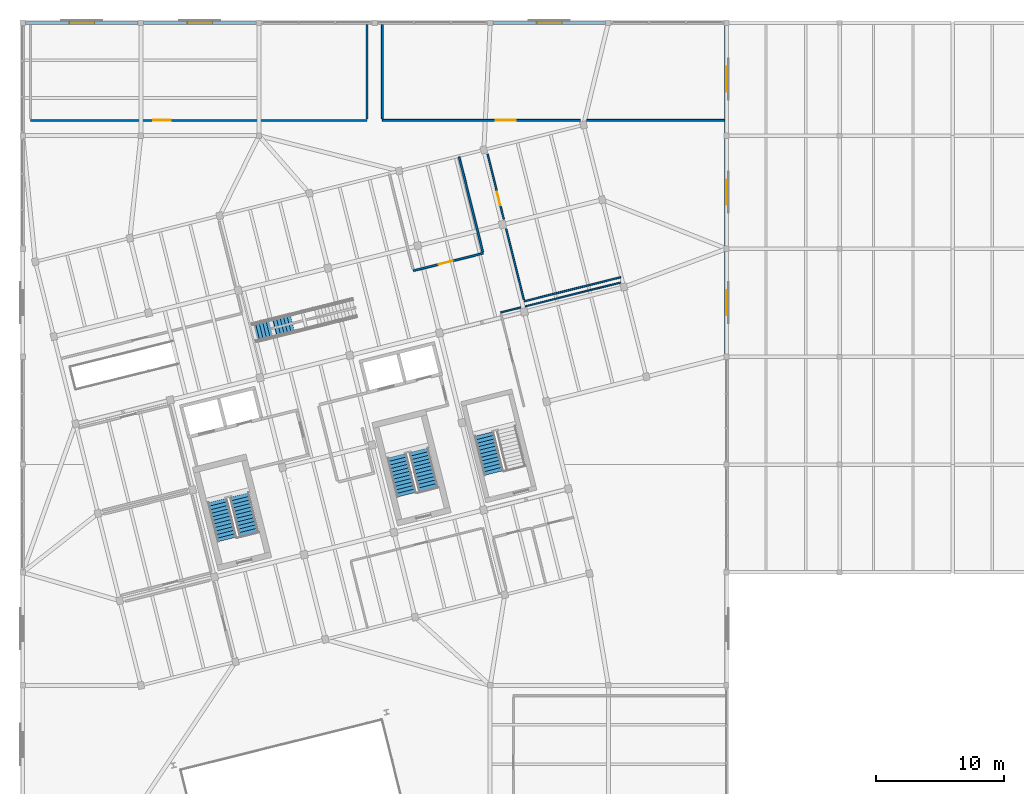
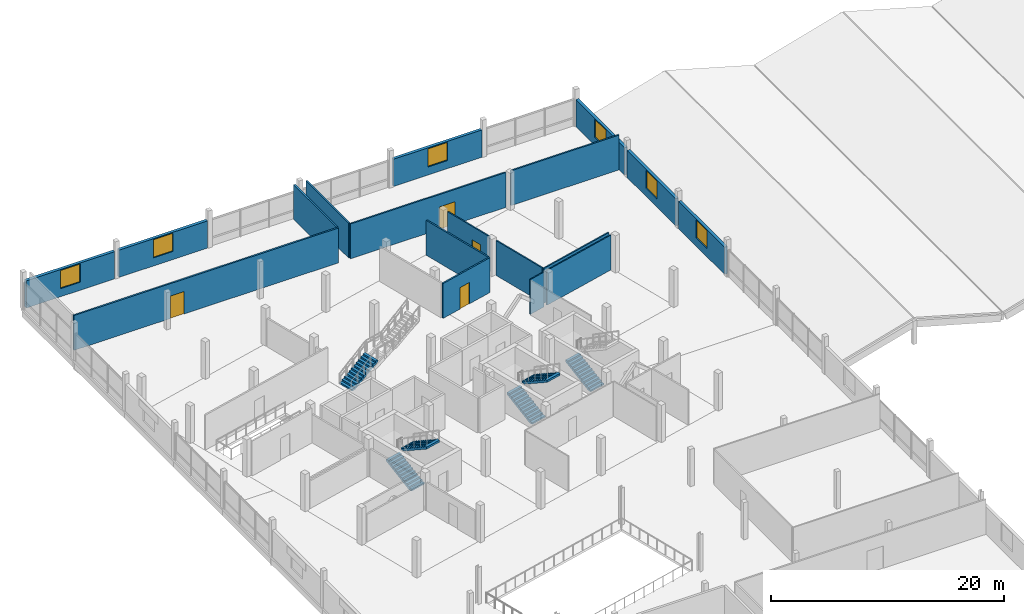
# One storey, part 43 of 47: 18 walls, 6 stair flights, 6 windows, 4 doors, 10 openings, 4 elements without a shape of their own.
"""IFC4 building model written with IfcOpenShell, lengths in metres."""

from ifc_helpers import new_model, si_unit, direction, frame, frame_2d, origin, place, context, subcontext, project, spatial, polyline, rectangle, outline, extrude, material, layer, layer_set, type_object, element, fill, aggregate, save


model = new_model("IFC4")

# Units and contexts
model_context = context("Model", 3, precision=1e-05, world=origin(), true_north=direction((0.0, 1.0)))
body_context = subcontext(model_context, "Body", "Model", "MODEL_VIEW")
ifc_project = project(units=[si_unit("LENGTHUNIT", "METRE"), si_unit("AREAUNIT", "SQUARE_METRE"), si_unit("VOLUMEUNIT", "CUBIC_METRE"), si_unit("PLANEANGLEUNIT", "RADIAN"), si_unit("MASSUNIT", "GRAM", prefix="KILO")], contexts=[model_context])

# Site, building, storey
site_placement = place(None, origin())
site = spatial("IfcSite", under=ifc_project, at=site_placement, CompositionType="ELEMENT")
building_placement = place(site_placement, origin())
building = spatial("IfcBuilding", under=site, at=building_placement, Name="Meriwether Solvik Hall", CompositionType="ELEMENT")
storey_placement = place(building_placement, frame((0.0, 0.0, 18.300048828125)))
storey = spatial("IfcBuildingStorey", under=building, at=storey_placement, Name="L04", CompositionType="ELEMENT", Elevation=18.300048828125)

# Wall, opening, door
ifc_material_1 = material(Name="Double-Layer Acoustic Gypsum Board", Category="gypsum")
ifc_layer_1 = layer(ifc_material_1, 0.1650390625)
ifc_layer_set_1 = layer_set([ifc_layer_1], Name="Double-Layer Acoustic Gypsum Board")
wall_type_1 = type_object("IfcWallType", Name="WALL-DEM-165", PredefinedType="PARTITIONING", material=ifc_layer_set_1)
wall_1_placement = place(storey_placement, frame((60.0, 85.199951171875, 0.0), z_axis=(0.0, 0.0, 1.0), x_axis=(1.0, 0.0, 0.0)))
wall_1 = element("IfcWall", 1, at=wall_1_placement, inside=storey, type_object=wall_type_1, Name="L04 Interior Partition cnt_n4a_s", PredefinedType="PARTITIONING", context=body_context, shape_type="SweptSolid", body=[
    extrude(rectangle(XDim=26.199951171875, YDim=0.1650390625, at=frame_2d((13.10009765625, 0.0))), origin(), (0.0, 0.0, 1.0), 3.655029296875),
])
opening_1_placement = place(wall_1_placement, frame((9.566162109375, 0.0, 0.0)))
opening_1 = element("IfcOpeningElement", 2, at=opening_1_placement, cuts=wall_1, Name="Opening D-190", PredefinedType="OPENING", context=body_context, shape_type="SweptSolid", body=[
    extrude(rectangle(XDim=1.35009765625, YDim=2.35009765625, at=frame_2d((0.675048828125, 1.175048828125))), frame((0.0, 0.094482421875, 0.0), z_axis=(0.0, -1.0, 0.0), x_axis=(1.0, 0.0, 0.0)), (0.0, 0.0, 1.0), 0.18896484375),
])
ifc_material_2 = material(Name="Laminated Vision Glass and Solid White Oak Timber", Category="wood")
door_type_1 = type_object("IfcDoorType", Name="DR-LAB-1350L", OperationType="SINGLE_SWING_LEFT", PredefinedType="DOOR", material=ifc_material_2)
door_1_placement = place(opening_1_placement, origin())
door_1 = element("IfcDoor", 3, at=door_1_placement, inside=storey, type_object=door_type_1, Name="Continuing Education Lab Door", OperationType="SINGLE_SWING_LEFT", OverallHeight=2.35009765625, OverallWidth=1.35009765625, PredefinedType="DOOR", context=body_context, shape_type="SweptSolid", body=[
    extrude(rectangle(XDim=1.35009765625, YDim=2.35009765625, at=frame_2d((0.675048828125, 1.175048828125))), frame((0.0, 0.02490234375, 0.0), z_axis=(0.0, -1.0, 0.0), x_axis=(1.0, 0.0, 0.0)), (0.0, 0.0, 1.0), 0.050048828125),
])
fill(opening_1, door_1)

# Wall
wall_2_placement = place(storey_placement, frame((86.199951171875, 85.320068359375, 0.0), z_axis=(0.0, 0.0, 1.0), x_axis=(0.0, 1.0, 0.0)))
element("IfcWall", 4, at=wall_2_placement, inside=storey, type_object=wall_type_1, Name="L04 Interior Partition cnt_n4a_e", PredefinedType="PARTITIONING", context=body_context, shape_type="SweptSolid", body=[
    extrude(rectangle(XDim=7.329833984375, YDim=0.1650390625, at=frame_2d((3.6650390625, 0.0))), origin(), (0.0, 0.0, 1.0), 3.655029296875),
])

# Wall, opening, window
ifc_material_3 = material(Name="Cross-Laminated Timber and Mineral-Wool Insulation", Category="wood")
ifc_layer_2 = layer(ifc_material_3, 0.2900390625)
ifc_layer_set_2 = layer_set([ifc_layer_2], Name="Cross-Laminated Timber and Mineral-Wool Insulation")
wall_type_2 = type_object("IfcWallType", Name="WALL-EXT-290", PredefinedType="SOLIDWALL", material=ifc_layer_set_2)
wall_3_placement = place(storey_placement, frame((59.6220703125, 92.800048828125, 0.0), z_axis=(0.0, 0.0, 1.0), x_axis=(1.0, 0.0, 0.0)))
wall_3 = element("IfcWall", 5, at=wall_3_placement, inside=storey, type_object=wall_type_2, Name="L04 N Wing Facade Wall XK_7_6", PredefinedType="SOLIDWALL", context=body_context, shape_type="SweptSolid", body=[
    extrude(rectangle(XDim=8.755859375, YDim=0.2900390625, at=frame_2d((4.3779296875, 0.0))), origin(), (0.0, 0.0, 1.0), 2.85498046875),
])
opening_2_placement = place(wall_3_placement, frame((3.403076171875, 0.0, 0.85009765625)))
opening_2 = element("IfcOpeningElement", 6, at=opening_2_placement, cuts=wall_3, Name="Opening WN-158", PredefinedType="OPENING", context=body_context, shape_type="SweptSolid", body=[
    extrude(rectangle(XDim=1.949951171875, YDim=1.89990234375, at=frame_2d((0.97509765625, 0.949951171875))), frame((0.0, 0.156982421875, 0.0), z_axis=(0.0, -1.0, 0.0), x_axis=(1.0, 0.0, 0.0)), (0.0, 0.0, 1.0), 0.31396484375),
])
ifc_material_4 = material(Name="Thermally Broken Anodised Aluminium and Triple Low-E Glass", Category="aluminium")
window_type = type_object("IfcWindowType", Name="WIN-TW-LOW-195X190", PartitioningType="SINGLE_PANEL", PredefinedType="WINDOW", material=ifc_material_4)
window_1_placement = place(opening_2_placement, origin())
window_1 = element("IfcWindow", 7, at=window_1_placement, inside=storey, type_object=window_type, Name="L04 N Window XK_7_6", OverallHeight=1.89990234375, OverallWidth=1.949951171875, PartitioningType="SINGLE_PANEL", PredefinedType="WINDOW", context=body_context, shape_type="SweptSolid", body=[
    extrude(rectangle(XDim=1.949951171875, YDim=1.89990234375, at=frame_2d((0.97509765625, 0.949951171875))), frame((0.0, 0.030029296875, 0.0), z_axis=(0.0, -1.0, 0.0), x_axis=(1.0, 0.0, 0.0)), (0.0, 0.0, 1.0), 0.06005859375),
])
fill(opening_2, window_1)

wall_4_placement = place(storey_placement, frame((68.822021484375, 92.800048828125, 0.0), z_axis=(0.0, 0.0, 1.0), x_axis=(1.0, 0.0, 0.0)))
wall_4 = element("IfcWall", 8, at=wall_4_placement, inside=storey, type_object=wall_type_2, Name="L04 N Wing Facade Wall XK_8_7", PredefinedType="SOLIDWALL", context=body_context, shape_type="SweptSolid", body=[
    extrude(rectangle(XDim=8.755859375, YDim=0.2900390625, at=frame_2d((4.3779296875, 0.0))), origin(), (0.0, 0.0, 1.0), 2.85498046875),
])
opening_3_placement = place(wall_4_placement, frame((3.403076171875, 0.0, 0.85009765625)))
opening_3 = element("IfcOpeningElement", 9, at=opening_3_placement, cuts=wall_4, Name="Opening WN-158", PredefinedType="OPENING", context=body_context, shape_type="SweptSolid", body=[
    extrude(rectangle(XDim=1.949951171875, YDim=1.89990234375, at=frame_2d((0.97509765625, 0.949951171875))), frame((0.0, 0.156982421875, 0.0), z_axis=(0.0, -1.0, 0.0), x_axis=(1.0, 0.0, 0.0)), (0.0, 0.0, 1.0), 0.31396484375),
])
window_2_placement = place(opening_3_placement, origin())
window_2 = element("IfcWindow", 10, at=window_2_placement, inside=storey, type_object=window_type, Name="L04 N Window XK_8_7", OverallHeight=1.89990234375, OverallWidth=1.949951171875, PartitioningType="SINGLE_PANEL", PredefinedType="WINDOW", context=body_context, shape_type="SweptSolid", body=[
    extrude(rectangle(XDim=1.949951171875, YDim=1.89990234375, at=frame_2d((0.97509765625, 0.949951171875))), frame((0.0, 0.030029296875, 0.0), z_axis=(0.0, -1.0, 0.0), x_axis=(1.0, 0.0, 0.0)), (0.0, 0.0, 1.0), 0.06005859375),
])
fill(opening_3, window_2)

wall_5_placement = place(storey_placement, frame((96.02197265625, 92.800048828125, 0.0), z_axis=(0.0, 0.0, 1.0), x_axis=(1.0, 0.0, 0.0)))
wall_5 = element("IfcWall", 11, at=wall_5_placement, inside=storey, type_object=wall_type_2, Name="L04 N Wing Facade Wall XK_11_10", PredefinedType="SOLIDWALL", context=body_context, shape_type="SweptSolid", body=[
    extrude(rectangle(XDim=8.756103515625, YDim=0.2900390625, at=frame_2d((4.3779296875, 0.0))), origin(), (0.0, 0.0, 1.0), 2.85498046875),
])
opening_4_placement = place(wall_5_placement, frame((3.403076171875, 0.0, 0.85009765625)))
opening_4 = element("IfcOpeningElement", 12, at=opening_4_placement, cuts=wall_5, Name="Opening WN-158", PredefinedType="OPENING", context=body_context, shape_type="SweptSolid", body=[
    extrude(rectangle(XDim=1.949951171875, YDim=1.89990234375, at=frame_2d((0.97509765625, 0.949951171875))), frame((0.0, 0.156982421875, 0.0), z_axis=(0.0, -1.0, 0.0), x_axis=(1.0, 0.0, 0.0)), (0.0, 0.0, 1.0), 0.31396484375),
])
window_3_placement = place(opening_4_placement, origin())
window_3 = element("IfcWindow", 13, at=window_3_placement, inside=storey, type_object=window_type, Name="L04 N Window XK_11_10", OverallHeight=1.89990234375, OverallWidth=1.949951171875, PartitioningType="SINGLE_PANEL", PredefinedType="WINDOW", context=body_context, shape_type="SweptSolid", body=[
    extrude(rectangle(XDim=1.949951171875, YDim=1.89990234375, at=frame_2d((0.97509765625, 0.949951171875))), frame((0.0, 0.030029296875, 0.0), z_axis=(0.0, -1.0, 0.0), x_axis=(1.0, 0.0, 0.0)), (0.0, 0.0, 1.0), 0.06005859375),
])
fill(opening_4, window_3)

wall_6_placement = place(storey_placement, frame((114.199951171875, 74.97802734375, 0.0), z_axis=(0.0, 0.0, 1.0), x_axis=(0.0, -1.0, 0.0)))
wall_6 = element("IfcWall", 14, at=wall_6_placement, inside=storey, type_object=wall_type_2, Name="L04 E Wing Facade Wall Y13_8_29", PredefinedType="SOLIDWALL", context=body_context, shape_type="SweptSolid", body=[
    extrude(rectangle(XDim=7.9560546875, YDim=0.2900390625, at=frame_2d((3.97802734375, 0.0))), origin(), (0.0, 0.0, 1.0), 2.85498046875),
])
opening_5_placement = place(wall_6_placement, frame((3.0029296875, 0.0, 0.85009765625)))
opening_5 = element("IfcOpeningElement", 15, at=opening_5_placement, cuts=wall_6, Name="Opening WN-158", PredefinedType="OPENING", context=body_context, shape_type="SweptSolid", body=[
    extrude(rectangle(XDim=1.949951171875, YDim=1.89990234375, at=frame_2d((0.97509765625, 0.949951171875))), frame((0.0, 0.156982421875, 0.0), z_axis=(0.0, -1.0, 0.0), x_axis=(1.0, 0.0, 0.0)), (0.0, 0.0, 1.0), 0.31396484375),
])
window_4_placement = place(opening_5_placement, origin())
window_4 = element("IfcWindow", 16, at=window_4_placement, inside=storey, type_object=window_type, Name="L04 E Window Y13_8_29", OverallHeight=1.89990234375, OverallWidth=1.949951171875, PartitioningType="SINGLE_PANEL", PredefinedType="WINDOW", context=body_context, shape_type="SweptSolid", body=[
    extrude(rectangle(XDim=1.949951171875, YDim=1.89990234375, at=frame_2d((0.97509765625, 0.949951171875))), frame((0.0, 0.030029296875, 0.0), z_axis=(0.0, -1.0, 0.0), x_axis=(1.0, 0.0, 0.0)), (0.0, 0.0, 1.0), 0.06005859375),
])
fill(opening_5, window_4)

wall_7_placement = place(storey_placement, frame((114.199951171875, 83.778076171875, 0.0), z_axis=(0.0, 0.0, 1.0), x_axis=(0.0, -1.0, 0.0)))
wall_7 = element("IfcWall", 17, at=wall_7_placement, inside=storey, type_object=wall_type_2, Name="L04 E Wing Facade Wall Y13_9_30", PredefinedType="SOLIDWALL", context=body_context, shape_type="SweptSolid", body=[
    extrude(rectangle(XDim=8.35595703125, YDim=0.2900390625, at=frame_2d((4.177978515625, 0.0))), origin(), (0.0, 0.0, 1.0), 2.85498046875),
])
opening_6_placement = place(wall_7_placement, frame((3.202880859375, 0.0, 0.85009765625)))
opening_6 = element("IfcOpeningElement", 18, at=opening_6_placement, cuts=wall_7, Name="Opening WN-158", PredefinedType="OPENING", context=body_context, shape_type="SweptSolid", body=[
    extrude(rectangle(XDim=1.949951171875, YDim=1.89990234375, at=frame_2d((0.97509765625, 0.949951171875))), frame((0.0, 0.156982421875, 0.0), z_axis=(0.0, -1.0, 0.0), x_axis=(1.0, 0.0, 0.0)), (0.0, 0.0, 1.0), 0.31396484375),
])
window_5_placement = place(opening_6_placement, origin())
window_5 = element("IfcWindow", 19, at=window_5_placement, inside=storey, type_object=window_type, Name="L04 E Window Y13_9_30", OverallHeight=1.89990234375, OverallWidth=1.949951171875, PartitioningType="SINGLE_PANEL", PredefinedType="WINDOW", context=body_context, shape_type="SweptSolid", body=[
    extrude(rectangle(XDim=1.949951171875, YDim=1.89990234375, at=frame_2d((0.97509765625, 0.949951171875))), frame((0.0, 0.030029296875, 0.0), z_axis=(0.0, -1.0, 0.0), x_axis=(1.0, 0.0, 0.0)), (0.0, 0.0, 1.0), 0.06005859375),
])
fill(opening_6, window_5)

wall_8_placement = place(storey_placement, frame((114.199951171875, 92.577880859375, 0.0), z_axis=(0.0, 0.0, 1.0), x_axis=(0.0, -1.0, 0.0)))
wall_8 = element("IfcWall", 20, at=wall_8_placement, inside=storey, type_object=wall_type_2, Name="L04 E Wing Facade Wall Y13_10_31", PredefinedType="SOLIDWALL", context=body_context, shape_type="SweptSolid", body=[
    extrude(rectangle(XDim=8.35595703125, YDim=0.2900390625, at=frame_2d((4.177978515625, 0.0))), origin(), (0.0, 0.0, 1.0), 2.85498046875),
])
opening_7_placement = place(wall_8_placement, frame((3.202880859375, 0.0, 0.85009765625)))
opening_7 = element("IfcOpeningElement", 21, at=opening_7_placement, cuts=wall_8, Name="Opening WN-158", PredefinedType="OPENING", context=body_context, shape_type="SweptSolid", body=[
    extrude(rectangle(XDim=1.949951171875, YDim=1.89990234375, at=frame_2d((0.97509765625, 0.949951171875))), frame((0.0, 0.156982421875, 0.0), z_axis=(0.0, -1.0, 0.0), x_axis=(1.0, 0.0, 0.0)), (0.0, 0.0, 1.0), 0.31396484375),
])
window_6_placement = place(opening_7_placement, origin())
window_6 = element("IfcWindow", 22, at=window_6_placement, inside=storey, type_object=window_type, Name="L04 E Window Y13_10_31", OverallHeight=1.89990234375, OverallWidth=1.949951171875, PartitioningType="SINGLE_PANEL", PredefinedType="WINDOW", context=body_context, shape_type="SweptSolid", body=[
    extrude(rectangle(XDim=1.949951171875, YDim=1.89990234375, at=frame_2d((0.97509765625, 0.949951171875))), frame((0.0, 0.030029296875, 0.0), z_axis=(0.0, -1.0, 0.0), x_axis=(1.0, 0.0, 0.0)), (0.0, 0.0, 1.0), 0.06005859375),
])
fill(opening_7, window_6)

# Walls
ifc_material_5 = material(Name="Tempered Laminated Glass in Anodised Aluminium Frame", Category="aluminium")
ifc_layer_3 = layer(ifc_material_5, 0.112060546875)
ifc_layer_set_3 = layer_set([ifc_layer_3], Name="Tempered Laminated Glass in Anodised Aluminium Frame")
wall_type_3 = type_object("IfcWallType", Name="WALL-GLZ-112", PredefinedType="PARTITIONING", material=ifc_layer_set_3)
wall_9_placement = place(storey_placement, frame((105.942626953125, 72.565673828125, 0.0), z_axis=(0.0, 0.0, 1.0), x_axis=(-0.970296452593, -0.241918982482, 0.0)))
element("IfcWall", 23, at=wall_9_placement, inside=storey, type_object=wall_type_3, Name="L04 Interior Partition fac_se_n", PredefinedType="PARTITIONING", context=body_context, shape_type="SweptSolid", body=[
    extrude(rectangle(XDim=7.639404296875, YDim=0.112060546875, at=frame_2d((3.81982421875, 0.0))), origin(), (0.0, 0.0, 1.0), 3.655029296875),
])
wall_10_placement = place(storey_placement, frame((98.180419921875, 70.63037109375, 0.0), z_axis=(0.0, 0.0, 1.0), x_axis=(-0.97029286295, -0.241933379482, 0.0)))
element("IfcWall", 24, at=wall_10_placement, inside=storey, type_object=wall_type_3, Name="L04 Interior Partition fac_se_n_s2", PredefinedType="PARTITIONING", context=body_context, shape_type="SweptSolid", body=[
    extrude(rectangle(XDim=1.62158203125, YDim=0.112060546875, at=frame_2d((0.810791015625, 0.0))), origin(), (0.0, 0.0, 1.0), 3.655029296875),
])
ifc_material_6 = material(Name="Gypsum Board Partition", Category="gypsum")
ifc_layer_4 = layer(ifc_material_6, 0.125)
ifc_layer_set_4 = layer_set([ifc_layer_4], Name="Gypsum Board Partition")
wall_type_4 = type_object("IfcWallType", Name="WALL-PART-125", PredefinedType="PARTITIONING", material=ifc_layer_set_4)
wall_11_placement = place(storey_placement, frame((98.450927734375, 71.110107421875, 0.0), z_axis=(0.0, 0.0, 1.0), x_axis=(0.970300010967, 0.241904709993, 0.0)))
element("IfcWall", 25, at=wall_11_placement, inside=storey, type_object=wall_type_4, Name="L04 Interior Partition adv_se_s", PredefinedType="PARTITIONING", context=body_context, shape_type="SweptSolid", body=[
    extrude(rectangle(XDim=7.739990234375, YDim=0.125, at=frame_2d((3.8701171875, 0.0))), origin(), (0.0, 0.0, 1.0), 3.655029296875),
])

# Wall, opening, door
wall_12_placement = place(storey_placement, frame((95.59375, 82.5693359375, 0.0), z_axis=(0.0, 0.0, 1.0), x_axis=(0.241919249358, -0.970296386054, 0.0)))
wall_12 = element("IfcWall", 26, at=wall_12_placement, inside=storey, type_object=wall_type_4, Name="L04 Interior Partition adv_se_w", PredefinedType="PARTITIONING", context=body_context, shape_type="SweptSolid", body=[
    extrude(rectangle(XDim=5.219482421875, YDim=0.125, at=frame_2d((2.60986328125, 0.0))), origin(), (0.0, 0.0, 1.0), 3.655029296875),
])
opening_8_placement = place(wall_12_placement, frame((3.04345703125, 0.0, 0.0)))
opening_8 = element("IfcOpeningElement", 27, at=opening_8_placement, cuts=wall_12, Name="Opening D-175", PredefinedType="OPENING", context=body_context, shape_type="SweptSolid", body=[
    extrude(rectangle(XDim=1.050048828125, YDim=2.25, at=frame_2d((0.52490234375, 1.125))), frame((0.0, 0.074462890625, 0.0), z_axis=(0.0, -1.0, 0.0), x_axis=(1.0, 0.0, 0.0)), (0.0, 0.0, 1.0), 0.14892578125),
])
ifc_material_7 = material(Name="Solid-Core Rift White Oak Timber", Category="wood")
door_type_2 = type_object("IfcDoorType", Name="DR-FEL-1050L", OperationType="SINGLE_SWING_LEFT", PredefinedType="DOOR", material=ifc_material_7)
door_2_placement = place(opening_8_placement, origin())
door_2 = element("IfcDoor", 28, at=door_2_placement, inside=storey, type_object=door_type_2, Name="L04 Academic Advising Suite Door", OperationType="SINGLE_SWING_LEFT", OverallHeight=2.25, OverallWidth=1.050048828125, PredefinedType="DOOR", context=body_context, shape_type="SweptSolid", body=[
    extrude(rectangle(XDim=1.050048828125, YDim=2.25, at=frame_2d((0.52490234375, 1.125))), frame((0.0, 0.02490234375, 0.0), z_axis=(0.0, -1.0, 0.0), x_axis=(1.0, 0.0, 0.0)), (0.0, 0.0, 1.0), 0.050048828125),
])
fill(opening_8, door_2)

# Wall
wall_13_placement = place(storey_placement, frame((97.045166015625, 76.74755859375, 0.0), z_axis=(0.0, 0.0, 1.0), x_axis=(0.241950032654, -0.970288710487, 0.0)))
element("IfcWall", 29, at=wall_13_placement, inside=storey, type_object=wall_type_4, Name="L04 Interior Partition adv_se_w_s2", PredefinedType="PARTITIONING", context=body_context, shape_type="SweptSolid", body=[
    extrude(rectangle(XDim=5.68994140625, YDim=0.125, at=frame_2d((2.844970703125, 0.0))), origin(), (0.0, 0.0, 1.0), 3.655029296875),
])

# Wall, opening, door
ifc_material_8 = material(Name="Gypsum Board Partition", Category="gypsum")
ifc_layer_5 = layer(ifc_material_8, 0.14990234375)
ifc_layer_set_5 = layer_set([ifc_layer_5], Name="Gypsum Board Partition")
wall_type_5 = type_object("IfcWallType", Name="WALL-PART-150", PredefinedType="PARTITIONING", material=ifc_layer_set_5)
wall_14_placement = place(storey_placement, frame((87.39990234375, 85.199951171875, 0.0), z_axis=(0.0, 0.0, 1.0), x_axis=(1.0, 0.0, 0.0)))
wall_14 = element("IfcWall", 30, at=wall_14_placement, inside=storey, type_object=wall_type_5, Name="L04 Interior Partition cnt_n4b_s", PredefinedType="PARTITIONING", context=body_context, shape_type="SweptSolid", body=[
    extrude(rectangle(XDim=15.4228515625, YDim=0.14990234375, at=frame_2d((7.71142578125, 0.0))), origin(), (0.0, 0.0, 1.0), 3.655029296875),
])
opening_9_placement = place(wall_14_placement, frame((8.8408203125, 0.0, 0.0)))
opening_9 = element("IfcOpeningElement", 31, at=opening_9_placement, cuts=wall_14, Name="Opening D-169", PredefinedType="OPENING", context=body_context, shape_type="SweptSolid", body=[
    extrude(rectangle(XDim=1.550048828125, YDim=2.35009765625, at=frame_2d((0.77490234375, 1.175048828125))), frame((0.0, 0.0869140625, 0.0), z_axis=(0.0, -1.0, 0.0), x_axis=(1.0, 0.0, 0.0)), (0.0, 0.0, 1.0), 0.173828125),
])
ifc_material_9 = material(Name="Laminated Vision Glass and Solid White Oak Timber", Category="wood")
door_type_3 = type_object("IfcDoorType", Name="DR-MKR-1550", OperationType="DOUBLE_DOOR_SINGLE_SWING", PredefinedType="DOOR", material=ifc_material_9)
door_3_placement = place(opening_9_placement, origin())
door_3 = element("IfcDoor", 32, at=door_3_placement, inside=storey, type_object=door_type_3, Name="Language Media Workshop Door", OperationType="DOUBLE_DOOR_SINGLE_SWING", OverallHeight=2.35009765625, OverallWidth=1.550048828125, PredefinedType="DOOR", context=body_context, shape_type="SweptSolid", body=[
    extrude(rectangle(XDim=1.550048828125, YDim=2.35009765625, at=frame_2d((0.77490234375, 1.175048828125))), frame((0.0, 0.02490234375, 0.0), z_axis=(0.0, -1.0, 0.0), x_axis=(1.0, 0.0, 0.0)), (0.0, 0.0, 1.0), 0.050048828125),
])
fill(opening_9, door_3)

# Walls
wall_15_placement = place(storey_placement, frame((103.312744140625, 85.199951171875, 0.0), z_axis=(0.0, 0.0, 1.0), x_axis=(1.0, 0.0, 0.0)))
element("IfcWall", 33, at=wall_15_placement, inside=storey, type_object=wall_type_5, Name="L04 Interior Partition cnt_n4b_s_s2", PredefinedType="PARTITIONING", context=body_context, shape_type="SweptSolid", body=[
    extrude(rectangle(XDim=10.7373046875, YDim=0.14990234375, at=frame_2d((5.36865234375, 0.0))), origin(), (0.0, 0.0, 1.0), 3.655029296875),
])
wall_16_placement = place(storey_placement, frame((87.39990234375, 92.64990234375, 0.0), z_axis=(0.0, 0.0, 1.0), x_axis=(0.0, -1.0, 0.0)))
element("IfcWall", 34, at=wall_16_placement, inside=storey, type_object=wall_type_5, Name="L04 Interior Partition cnt_n4b_w", PredefinedType="PARTITIONING", context=body_context, shape_type="SweptSolid", body=[
    extrude(rectangle(XDim=7.329833984375, YDim=0.14990234375, at=frame_2d((3.6650390625, 0.0))), origin(), (0.0, 0.0, 1.0), 3.655029296875),
])

# Wall, opening, door
wall_17_placement = place(storey_placement, frame((89.818115234375, 73.492431640625, 0.0), z_axis=(0.0, 0.0, 1.0), x_axis=(0.970296176881, 0.241920088314, 0.0)))
wall_17 = element("IfcWall", 35, at=wall_17_placement, inside=storey, type_object=wall_type_5, Name="L04 Interior Partition cls_ne1_s", PredefinedType="PARTITIONING", context=body_context, shape_type="SweptSolid", body=[
    extrude(rectangle(XDim=5.599853515625, YDim=0.14990234375, at=frame_2d((2.7998046875, 0.0))), origin(), (0.0, 0.0, 1.0), 3.655029296875),
])
opening_10_placement = place(wall_17_placement, frame((2.03759765625, 0.0, 0.0)))
opening_10 = element("IfcOpeningElement", 36, at=opening_10_placement, cuts=wall_17, Name="Opening D-134", PredefinedType="OPENING", context=body_context, shape_type="SweptSolid", body=[
    extrude(rectangle(XDim=1.10009765625, YDim=2.25, at=frame_2d((0.550048828125, 1.125))), frame((0.0, 0.0869140625, 0.0), z_axis=(0.0, -1.0, 0.0), x_axis=(1.0, 0.0, 0.0)), (0.0, 0.0, 1.0), 0.173828125),
])
ifc_material_10 = material(Name="Laminated Vision Glass and Solid White Oak Timber", Category="wood")
door_type_4 = type_object("IfcDoorType", Name="DR-CLS-1100L", OperationType="SINGLE_SWING_LEFT", PredefinedType="DOOR", material=ifc_material_10)
door_4_placement = place(opening_10_placement, origin())
door_4 = element("IfcDoor", 37, at=door_4_placement, inside=storey, type_object=door_type_4, Name="L04 Design Lecture Classroom Door", OperationType="SINGLE_SWING_LEFT", OverallHeight=2.25, OverallWidth=1.10009765625, PredefinedType="DOOR", context=body_context, shape_type="SweptSolid", body=[
    extrude(rectangle(XDim=1.10009765625, YDim=2.25, at=frame_2d((0.550048828125, 1.125))), frame((0.0, 0.02490234375, 0.0), z_axis=(0.0, -1.0, 0.0), x_axis=(1.0, 0.0, 0.0)), (0.0, 0.0, 1.0), 0.050048828125),
])
fill(opening_10, door_4)

# Wall
wall_18_placement = place(storey_placement, frame((95.22265625, 74.963623046875, 0.0), z_axis=(0.0, 0.0, 1.0), x_axis=(-0.241932476187, 0.970293088178, 0.0)))
element("IfcWall", 38, at=wall_18_placement, inside=storey, type_object=wall_type_5, Name="L04 Interior Partition cls_ne1_e", PredefinedType="PARTITIONING", context=body_context, shape_type="SweptSolid", body=[
    extrude(rectangle(XDim=7.619873046875, YDim=0.14990234375, at=frame_2d((3.81005859375, 0.0))), origin(), (0.0, 0.0, 1.0), 3.655029296875),
])

# Stair, stair flight
ifc_material_11 = material(Name="Glulam Douglas-Fir 24F-V8 GL28h", Category="wood")
stair_type_1 = type_object("IfcStairType", Name="STR-OPEN-EDU", PredefinedType="TWO_STRAIGHT_RUN_STAIR", material=ifc_material_11)
stair_1_placement = place(storey_placement, origin())
stair_1 = element("IfcStair", 39, at=stair_1_placement, inside=storey, type_object=stair_type_1, Name="Architectural Stair ST-ED2 (L04-L05)", PredefinedType="TWO_STRAIGHT_RUN_STAIR")
ifc_material_12 = material(Name="Glulam Douglas-Fir 24F-V8 GL28h", Category="wood")
stair_flight_type_1 = type_object("IfcStairFlightType", Name="SFL-GL-155", PredefinedType="STRAIGHT", material=ifc_material_12)
stair_flight_1_placement = place(storey_placement, frame((77.42138671875, 68.6494140625, 0.0), z_axis=(0.0, 0.0, 1.0), x_axis=(0.970295726276, 0.2419218956, 0.0)))
stair_flight_1 = element("IfcStairFlight", 40, at=stair_flight_1_placement, type_object=stair_flight_type_1, Name="Stair ST-ED2 Lower Flight", NumberOfRisers=12, NumberOfTreads=11, PredefinedType="STRAIGHT", RiserHeight=0.1625, TreadLength=0.28, context=body_context, shape_type="SweptSolid", body=[
    extrude(outline(polyline([(0.0, 0.0), (0.0, 0.16259765625), (0.280029296875, 0.16259765625), (0.280029296875, 0.324951171875), (0.56005859375, 0.324951171875), (0.56005859375, 0.487548828125), (0.840087890625, 0.487548828125), (0.840087890625, 0.64990234375), (1.1201171875, 0.64990234375), (1.1201171875, 0.8125), (1.39990234375, 0.8125), (1.39990234375, 0.97509765625), (1.679931640625, 0.97509765625), (1.679931640625, 1.137451171875), (1.9599609375, 1.137451171875), (1.9599609375, 1.300048828125), (2.239990234375, 1.300048828125), (2.239990234375, 1.46240234375), (2.52001953125, 1.46240234375), (2.52001953125, 1.625), (2.800048828125, 1.625), (2.800048828125, 1.78759765625), (3.080078125, 1.78759765625), (3.080078125, 1.949951171875), (3.080078125, 1.579345703125), (0.3583984375, 0.0), (0.0, 0.0)])), frame((0.0, 0.77490234375, 0.0), z_axis=(0.0, -1.0, 0.0), x_axis=(1.0, 0.0, 0.0)), (0.0, 0.0, 1.0), 1.550048828125),
])
aggregate(stair_1, [stair_flight_1])

# Stair, stair flights
ifc_material_13 = material(Name="Concrete C40/50", Category="concrete")
stair_type_2 = type_object("IfcStairType", Name="STR-CORE-DOGLEG-A", PredefinedType="TWO_STRAIGHT_RUN_STAIR", material=ifc_material_13)
stair_2_placement = place(storey_placement, origin())
stair_2 = element("IfcStair", 41, at=stair_2_placement, inside=storey, type_object=stair_type_2, Name="Exit Stair ST-01 (L04)", PredefinedType="TWO_STRAIGHT_RUN_STAIR")
ifc_material_14 = material(Name="Concrete C40/50", Category="concrete")
stair_flight_type_2 = type_object("IfcStairFlightType", Name="SFL-RC-156", PredefinedType="STRAIGHT", material=ifc_material_14)
stair_flight_2_placement = place(storey_placement, frame((75.310791015625, 52.56103515625, 0.0), z_axis=(0.0, 0.0, 1.0), x_axis=(-0.2419218956, 0.970295726276, 0.0)))
stair_flight_2 = element("IfcStairFlight", 42, at=stair_flight_2_placement, type_object=stair_flight_type_2, Name="Stair ST-01 Lower Flight (L04)", NumberOfRisers=12, NumberOfTreads=11, PredefinedType="STRAIGHT", RiserHeight=0.1625, TreadLength=0.285, context=body_context, shape_type="SweptSolid", body=[
    extrude(outline(polyline([(0.0, 0.0), (0.0, 0.16259765625), (0.284912109375, 0.16259765625), (0.284912109375, 0.324951171875), (0.570068359375, 0.324951171875), (0.570068359375, 0.487548828125), (0.85498046875, 0.487548828125), (0.85498046875, 0.64990234375), (1.139892578125, 0.64990234375), (1.139892578125, 0.8125), (1.425048828125, 0.8125), (1.425048828125, 0.97509765625), (1.7099609375, 0.97509765625), (1.7099609375, 1.137451171875), (1.9951171875, 1.137451171875), (1.9951171875, 1.300048828125), (2.280029296875, 1.300048828125), (2.280029296875, 1.46240234375), (2.56494140625, 1.46240234375), (2.56494140625, 1.625), (2.85009765625, 1.625), (2.85009765625, 1.78759765625), (3.135009765625, 1.78759765625), (3.135009765625, 1.949951171875), (3.135009765625, 1.580322265625), (0.36328125, 0.0), (0.0, 0.0)])), frame((0.0, 0.780029296875, 0.0), z_axis=(0.0, -1.0, 0.0), x_axis=(1.0, 0.0, 0.0)), (0.0, 0.0, 1.0), 1.56005859375),
])
stair_flight_3_placement = place(storey_placement, frame((76.279541015625, 56.033447265625, 1.949951171875), z_axis=(0.0, 0.0, 1.0), x_axis=(0.2419218956, -0.970295726276, 0.0)))
stair_flight_3 = element("IfcStairFlight", 43, at=stair_flight_3_placement, type_object=stair_flight_type_2, Name="Stair ST-01 Upper Flight (L04)", NumberOfRisers=12, NumberOfTreads=11, PredefinedType="STRAIGHT", RiserHeight=0.1625, TreadLength=0.285, context=body_context, shape_type="SweptSolid", body=[
    extrude(outline(polyline([(0.0, 0.0), (0.0, 0.16259765625), (0.284912109375, 0.16259765625), (0.284912109375, 0.324951171875), (0.570068359375, 0.324951171875), (0.570068359375, 0.487548828125), (0.85498046875, 0.487548828125), (0.85498046875, 0.64990234375), (1.139892578125, 0.64990234375), (1.139892578125, 0.8125), (1.425048828125, 0.8125), (1.425048828125, 0.97509765625), (1.7099609375, 0.97509765625), (1.7099609375, 1.137451171875), (1.9951171875, 1.137451171875), (1.9951171875, 1.300048828125), (2.280029296875, 1.300048828125), (2.280029296875, 1.46240234375), (2.56494140625, 1.46240234375), (2.56494140625, 1.625), (2.85009765625, 1.625), (2.85009765625, 1.78759765625), (3.135009765625, 1.78759765625), (3.135009765625, 1.949951171875), (3.135009765625, 1.580322265625), (0.36328125, 0.0), (0.0, 0.0)])), frame((0.0, 0.780029296875, 0.0), z_axis=(0.0, -1.0, 0.0), x_axis=(1.0, 0.0, 0.0)), (0.0, 0.0, 1.0), 1.56005859375),
])
aggregate(stair_2, [stair_flight_2, stair_flight_3])

stair_3_placement = place(storey_placement, origin())
stair_3 = element("IfcStair", 44, at=stair_3_placement, inside=storey, type_object=stair_type_2, Name="Exit Stair ST-02 (L04)", PredefinedType="TWO_STRAIGHT_RUN_STAIR")
stair_flight_4_placement = place(storey_placement, frame((89.283203125, 56.044677734375, 0.0), z_axis=(0.0, 0.0, 1.0), x_axis=(-0.2419218956, 0.970295726276, 0.0)))
stair_flight_4 = element("IfcStairFlight", 45, at=stair_flight_4_placement, type_object=stair_flight_type_2, Name="Stair ST-02 Lower Flight (L04)", NumberOfRisers=12, NumberOfTreads=11, PredefinedType="STRAIGHT", RiserHeight=0.1625, TreadLength=0.285, context=body_context, shape_type="SweptSolid", body=[
    extrude(outline(polyline([(0.0, 0.0), (0.0, 0.16259765625), (0.284912109375, 0.16259765625), (0.284912109375, 0.324951171875), (0.570068359375, 0.324951171875), (0.570068359375, 0.487548828125), (0.85498046875, 0.487548828125), (0.85498046875, 0.64990234375), (1.139892578125, 0.64990234375), (1.139892578125, 0.8125), (1.425048828125, 0.8125), (1.425048828125, 0.97509765625), (1.7099609375, 0.97509765625), (1.7099609375, 1.137451171875), (1.9951171875, 1.137451171875), (1.9951171875, 1.300048828125), (2.280029296875, 1.300048828125), (2.280029296875, 1.46240234375), (2.56494140625, 1.46240234375), (2.56494140625, 1.625), (2.85009765625, 1.625), (2.85009765625, 1.78759765625), (3.135009765625, 1.78759765625), (3.135009765625, 1.949951171875), (3.135009765625, 1.580322265625), (0.36328125, 0.0), (0.0, 0.0)])), frame((0.0, 0.780029296875, 0.0), z_axis=(0.0, -1.0, 0.0), x_axis=(1.0, 0.0, 0.0)), (0.0, 0.0, 1.0), 1.56005859375),
])
stair_flight_5_placement = place(storey_placement, frame((90.251953125, 59.51708984375, 1.949951171875), z_axis=(0.0, 0.0, 1.0), x_axis=(0.2419218956, -0.970295726276, 0.0)))
stair_flight_5 = element("IfcStairFlight", 46, at=stair_flight_5_placement, type_object=stair_flight_type_2, Name="Stair ST-02 Upper Flight (L04)", NumberOfRisers=12, NumberOfTreads=11, PredefinedType="STRAIGHT", RiserHeight=0.1625, TreadLength=0.285, context=body_context, shape_type="SweptSolid", body=[
    extrude(outline(polyline([(0.0, 0.0), (0.0, 0.16259765625), (0.284912109375, 0.16259765625), (0.284912109375, 0.324951171875), (0.570068359375, 0.324951171875), (0.570068359375, 0.487548828125), (0.85498046875, 0.487548828125), (0.85498046875, 0.64990234375), (1.139892578125, 0.64990234375), (1.139892578125, 0.8125), (1.425048828125, 0.8125), (1.425048828125, 0.97509765625), (1.7099609375, 0.97509765625), (1.7099609375, 1.137451171875), (1.9951171875, 1.137451171875), (1.9951171875, 1.300048828125), (2.280029296875, 1.300048828125), (2.280029296875, 1.46240234375), (2.56494140625, 1.46240234375), (2.56494140625, 1.625), (2.85009765625, 1.625), (2.85009765625, 1.78759765625), (3.135009765625, 1.78759765625), (3.135009765625, 1.949951171875), (3.135009765625, 1.580322265625), (0.36328125, 0.0), (0.0, 0.0)])), frame((0.0, 0.780029296875, 0.0), z_axis=(0.0, -1.0, 0.0), x_axis=(1.0, 0.0, 0.0)), (0.0, 0.0, 1.0), 1.56005859375),
])
aggregate(stair_3, [stair_flight_4, stair_flight_5])

# Stair, stair flight
stair_4_placement = place(storey_placement, origin())
stair_4 = element("IfcStair", 47, at=stair_4_placement, inside=storey, type_object=stair_type_2, Name="Exit Stair ST-03 (L04)", PredefinedType="TWO_STRAIGHT_RUN_STAIR")
stair_flight_6_placement = place(storey_placement, frame((96.0751953125, 57.738037109375, 0.0), z_axis=(0.0, 0.0, 1.0), x_axis=(-0.2419218956, 0.970295726276, 0.0)))
stair_flight_6 = element("IfcStairFlight", 48, at=stair_flight_6_placement, type_object=stair_flight_type_2, Name="Stair ST-03 Lower Flight (L04)", NumberOfRisers=12, NumberOfTreads=11, PredefinedType="STRAIGHT", RiserHeight=0.1625, TreadLength=0.285, context=body_context, shape_type="SweptSolid", body=[
    extrude(outline(polyline([(0.0, 0.0), (0.0, 0.16259765625), (0.284912109375, 0.16259765625), (0.284912109375, 0.324951171875), (0.570068359375, 0.324951171875), (0.570068359375, 0.487548828125), (0.85498046875, 0.487548828125), (0.85498046875, 0.64990234375), (1.139892578125, 0.64990234375), (1.139892578125, 0.8125), (1.425048828125, 0.8125), (1.425048828125, 0.97509765625), (1.7099609375, 0.97509765625), (1.7099609375, 1.137451171875), (1.9951171875, 1.137451171875), (1.9951171875, 1.300048828125), (2.280029296875, 1.300048828125), (2.280029296875, 1.46240234375), (2.56494140625, 1.46240234375), (2.56494140625, 1.625), (2.85009765625, 1.625), (2.85009765625, 1.78759765625), (3.135009765625, 1.78759765625), (3.135009765625, 1.949951171875), (3.135009765625, 1.580322265625), (0.36328125, 0.0), (0.0, 0.0)])), frame((0.0, 0.780029296875, 0.0), z_axis=(0.0, -1.0, 0.0), x_axis=(1.0, 0.0, 0.0)), (0.0, 0.0, 1.0), 1.56005859375),
])
aggregate(stair_4, [stair_flight_6])

save(model, "model.ifc")
